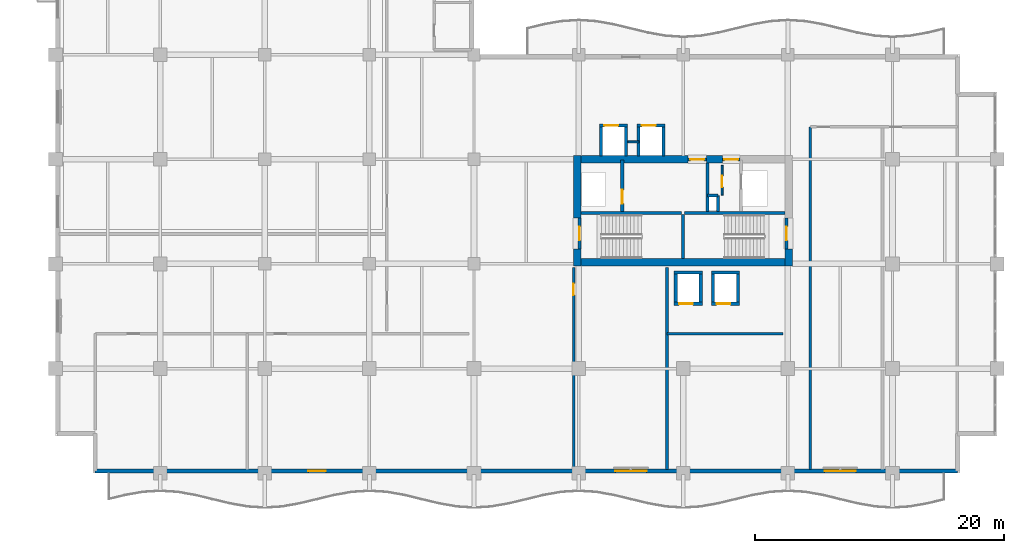
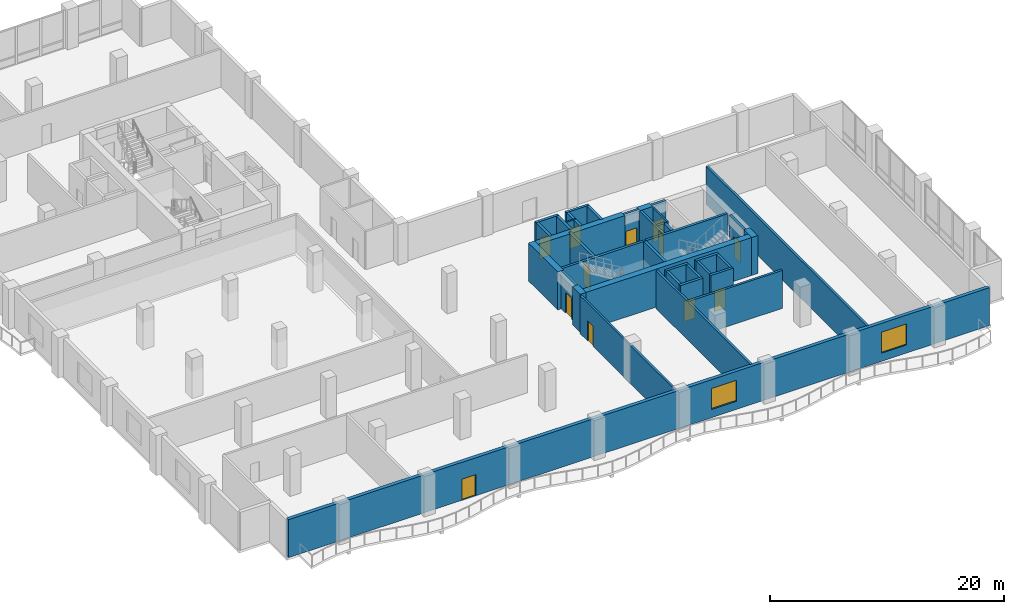
# One storey, part 11 of 22: 38 walls, 12 doors, 2 windows, 14 openings.
"""IFC4 building model written with IfcOpenShell, lengths in metres."""

from ifc_helpers import new_model, si_unit, direction, frame, frame_2d, origin, place, context, subcontext, project, spatial, rectangle, extrude, material, layer, layer_set, type_object, element, fill, save


model = new_model("IFC4")

# Units and contexts
model_context = context("Model", 3, precision=1e-05, world=origin(), true_north=direction((0.0, 1.0)))
body_context = subcontext(model_context, "Body", "Model", "MODEL_VIEW")
ifc_project = project(units=[si_unit("LENGTHUNIT", "METRE"), si_unit("AREAUNIT", "SQUARE_METRE"), si_unit("VOLUMEUNIT", "CUBIC_METRE"), si_unit("PLANEANGLEUNIT", "RADIAN"), si_unit("MASSUNIT", "GRAM", prefix="KILO")], contexts=[model_context])

# Site, building, storey
site_placement = place(None, origin())
site = spatial("IfcSite", under=ifc_project, at=site_placement, CompositionType="ELEMENT")
building_placement = place(site_placement, origin())
building = spatial("IfcBuilding", under=site, at=building_placement, Name="Koriwani Terraces Tower", CompositionType="ELEMENT")
storey_placement = place(building_placement, frame((0.0, 0.0, 219.800048828125)))
storey = spatial("IfcBuildingStorey", under=building, at=storey_placement, Name="L54", CompositionType="ELEMENT", Elevation=219.800048828125)

# Walls
ifc_material_1 = material(Name="Concrete C60/75", Category="concrete")
ifc_layer_1 = layer(ifc_material_1, 0.60009765625, Name="Concrete C60/75")
ifc_layer_set_1 = layer_set([ifc_layer_1], Name="Concrete C60/75")
wall_type_1 = type_object("IfcWallType", Name="WALL_CORE_RC_600", PredefinedType="SHEAR", material=ifc_layer_set_1)
wall_1_placement = place(storey_placement, frame((41.89990234375, 16.64990234375, 0.0), z_axis=(0.0, 0.0, 1.0), x_axis=(0.0, 1.0, 0.0)))
element("IfcWall", 1, at=wall_1_placement, inside=storey, type_object=wall_type_1, Name="L54 East Split Core Shear Wall W1", PredefinedType="SHEAR", context=body_context, shape_type="SweptSolid", body=[
    extrude(rectangle(XDim=1.35009765625, YDim=0.60009765625, at=frame_2d((0.675048828125, 0.0))), origin(), (0.0, 0.0, 1.0), 3.969970703125),
])
wall_2_placement = place(storey_placement, frame((41.89990234375, 20.5, 0.0), z_axis=(0.0, 0.0, 1.0), x_axis=(0.0, 1.0, 0.0)))
element("IfcWall", 2, at=wall_2_placement, inside=storey, type_object=wall_type_1, Name="L54 East Split Core Shear Wall W2", PredefinedType="SHEAR", context=body_context, shape_type="SweptSolid", body=[
    extrude(rectangle(XDim=5.0, YDim=0.60009765625, at=frame_2d((2.5, 0.0))), origin(), (0.0, 0.0, 1.0), 3.969970703125),
])
wall_3_placement = place(storey_placement, frame((58.85009765625, 16.64990234375, 0.0), z_axis=(0.0, 0.0, 1.0), x_axis=(0.0, 1.0, 0.0)))
element("IfcWall", 3, at=wall_3_placement, inside=storey, type_object=wall_type_1, Name="L54 East Split Core Shear Wall E1", PredefinedType="SHEAR", context=body_context, shape_type="SweptSolid", body=[
    extrude(rectangle(XDim=1.35009765625, YDim=0.60009765625, at=frame_2d((0.675048828125, 0.0))), origin(), (0.0, 0.0, 1.0), 3.969970703125),
])
wall_4_placement = place(storey_placement, frame((42.199951171875, 16.949951171875, 0.0), z_axis=(0.0, 0.0, 1.0), x_axis=(1.0, 0.0, 0.0)))
element("IfcWall", 4, at=wall_4_placement, inside=storey, type_object=wall_type_1, Name="L54 East Split Core Shear Wall S1", PredefinedType="SHEAR", context=body_context, shape_type="SweptSolid", body=[
    extrude(rectangle(XDim=16.35009765625, YDim=0.60009765625, at=frame_2d((8.175048828125, 0.0))), origin(), (0.0, 0.0, 1.0), 3.969970703125),
])
wall_5_placement = place(storey_placement, frame((42.199951171875, 25.199951171875, 0.0), z_axis=(0.0, 0.0, 1.0), x_axis=(1.0, 0.0, 0.0)))
element("IfcWall", 5, at=wall_5_placement, inside=storey, type_object=wall_type_1, Name="L54 East Split Core Shear Wall N1", PredefinedType="SHEAR", context=body_context, shape_type="SweptSolid", body=[
    extrude(rectangle(XDim=8.60009765625, YDim=0.60009765625, at=frame_2d((4.300048828125, 0.0))), origin(), (0.0, 0.0, 1.0), 3.969970703125),
])
wall_6_placement = place(storey_placement, frame((52.280029296875, 25.199951171875, 0.0), z_axis=(0.0, 0.0, 1.0), x_axis=(1.0, 0.0, 0.0)))
element("IfcWall", 6, at=wall_6_placement, inside=storey, type_object=wall_type_1, Name="L54 East Split Core Shear Wall N2", PredefinedType="SHEAR", context=body_context, shape_type="SweptSolid", body=[
    extrude(rectangle(XDim=1.27001953125, YDim=0.60009765625, at=frame_2d((0.635009765625, 0.0))), origin(), (0.0, 0.0, 1.0), 3.969970703125),
])

# Wall, opening, door
ifc_material_2 = material(Name="Autoclaved Cellular Concrete Blockwork", Category="masonry")
ifc_layer_2 = layer(ifc_material_2, 0.199951171875, Name="Autoclaved Cellular Concrete Blockwork")
ifc_layer_set_2 = layer_set([ifc_layer_2], Name="Autoclaved Cellular Concrete Blockwork")
wall_type_2 = type_object("IfcWallType", Name="WALL_CORRIDOR_200", PredefinedType="PARTITIONING", material=ifc_layer_set_2)
wall_7_placement = place(storey_placement, frame((41.60009765625, 0.300048828125, 0.0), z_axis=(0.0, 0.0, 1.0), x_axis=(0.0, 1.0, 0.0)))
wall_7 = element("IfcWall", 7, at=wall_7_placement, inside=storey, type_object=wall_type_2, Name="L54 Interior Wall WSKY-RECE1-L54", PredefinedType="PARTITIONING", context=body_context, shape_type="SweptSolid", body=[
    extrude(rectangle(XDim=16.199951171875, YDim=0.199951171875, at=frame_2d((8.10009765625, 0.0))), origin(), (0.0, 0.0, 1.0), 3.969970703125),
])
opening_1_placement = place(wall_7_placement, frame((14.0, 0.0, 0.0)))
opening_1 = element("IfcOpeningElement", 8, at=opening_1_placement, cuts=wall_7, Name="Opening D-06", PredefinedType="OPENING", context=body_context, shape_type="SweptSolid", body=[
    extrude(rectangle(XDim=0.919921875, YDim=2.10009765625, at=frame_2d((0.4599609375, 1.050048828125))), frame((0.0, 0.10986328125, 0.0), z_axis=(0.0, -1.0, 0.0), x_axis=(1.0, 0.0, 0.0)), (0.0, 0.0, 1.0), 0.219970703125),
])
ifc_material_3 = material(Name="Architectural Oak Fire Door", Category="wood")
door_type_1 = type_object("IfcDoorType", Name="DOOR_ROOM_INT_920X2100", OperationType="NOTDEFINED", PredefinedType="DOOR", material=ifc_material_3)
door_1_placement = place(opening_1_placement, origin())
door_1 = element("IfcDoor", 9, at=door_1_placement, inside=storey, type_object=door_type_1, Name="L54 VIP Tasting Salon Door", OperationType="SINGLE_SWING_LEFT", OverallHeight=2.10009765625, OverallWidth=0.919921875, PredefinedType="DOOR", context=body_context, shape_type="SweptSolid", body=[
    extrude(rectangle(XDim=0.919921875, YDim=2.10009765625, at=frame_2d((0.4599609375, 1.050048828125))), frame((0.0, 0.02490234375, 0.0), z_axis=(0.0, -1.0, 0.0), x_axis=(1.0, 0.0, 0.0)), (0.0, 0.0, 1.0), 0.050048828125),
])
fill(opening_1, door_1)

# Walls
ifc_layer_3 = layer(ifc_material_2, 0.219970703125, Name="Autoclaved Cellular Concrete Blockwork")
ifc_layer_set_3 = layer_set([ifc_layer_3], Name="Autoclaved Cellular Concrete Blockwork")
wall_type_3 = type_object("IfcWallType", Name="WALL_DEMISING_220", PredefinedType="PARTITIONING", material=ifc_layer_set_3)
wall_8_placement = place(storey_placement, frame((49.10009765625, 0.300048828125, 0.0), z_axis=(0.0, 0.0, 1.0), x_axis=(0.0, 1.0, 0.0)))
element("IfcWall", 10, at=wall_8_placement, inside=storey, type_object=wall_type_3, Name="L54 Interior Wall WSKY-RECE2-L54", PredefinedType="PARTITIONING", context=body_context, shape_type="SweptSolid", body=[
    extrude(rectangle(XDim=16.199951171875, YDim=0.219970703125, at=frame_2d((8.10009765625, 0.0))), origin(), (0.0, 0.0, 1.0), 3.969970703125),
])
wall_9_placement = place(storey_placement, frame((49.10009765625, 11.199951171875, 0.0), z_axis=(0.0, 0.0, 1.0), x_axis=(1.0, 0.0, 0.0)))
element("IfcWall", 11, at=wall_9_placement, inside=storey, type_object=wall_type_3, Name="L54 Interior Wall WSKY-RECE3-L54", PredefinedType="PARTITIONING", context=body_context, shape_type="SweptSolid", body=[
    extrude(rectangle(XDim=9.2998046875, YDim=0.219970703125, at=frame_2d((4.64990234375, 0.0))), origin(), (0.0, 0.0, 1.0), 3.969970703125),
])
wall_10_placement = place(storey_placement, frame((60.60009765625, 0.300048828125, 0.0), z_axis=(0.0, 0.0, 1.0), x_axis=(0.0, 1.0, 0.0)))
element("IfcWall", 12, at=wall_10_placement, inside=storey, type_object=wall_type_3, Name="L54 Interior Wall WSKY-EW-L54", PredefinedType="PARTITIONING", context=body_context, shape_type="SweptSolid", body=[
    extrude(rectangle(XDim=27.5, YDim=0.219970703125, at=frame_2d((13.75, 0.0))), origin(), (0.0, 0.0, 1.0), 3.969970703125),
])

# Wall, openings, door, windows
ifc_material_4 = material(Name="Concrete C50/60", Category="concrete")
ifc_layer_4 = layer(ifc_material_4, 0.35009765625, Name="Concrete C50/60")
ifc_layer_set_4 = layer_set([ifc_layer_4], Name="Concrete C50/60")
wall_type_4 = type_object("IfcWallType", Name="WALL_EXT_BRUTALIST_350", PredefinedType="STANDARD", material=ifc_layer_set_4)
wall_11_placement = place(storey_placement, frame((72.425048828125, 0.175048828125, 0.0), z_axis=(0.0, 0.0, 1.0), x_axis=(-1.0, 0.0, 0.0)))
wall_11 = element("IfcWall", 13, at=wall_11_placement, inside=storey, type_object=wall_type_4, Name="L54 Fair-Faced Brutalist Exterior Wall (S)", PredefinedType="STANDARD", context=body_context, shape_type="SweptSolid", body=[
    extrude(rectangle(XDim=69.25, YDim=0.35009765625, at=frame_2d((34.625, 0.0))), origin(), (0.0, 0.0, 1.0), 3.969970703125),
])
opening_2_placement = place(wall_11_placement, frame((50.72509765625, 0.0, 0.0)))
opening_2 = element("IfcOpeningElement", 14, at=opening_2_placement, cuts=wall_11, Name="Opening D-09", PredefinedType="OPENING", context=body_context, shape_type="SweptSolid", body=[
    extrude(rectangle(XDim=1.39990234375, YDim=2.199951171875, at=frame_2d((0.699951171875, 1.10009765625))), frame((0.0, 0.18505859375, 0.0), z_axis=(0.0, -1.0, 0.0), x_axis=(1.0, 0.0, 0.0)), (0.0, 0.0, 1.0), 0.3701171875),
])
opening_3_placement = place(wall_11_placement, frame((24.97509765625, 0.0, 0.85009765625)))
opening_3 = element("IfcOpeningElement", 15, at=opening_3_placement, cuts=wall_11, Name="Opening W-07", PredefinedType="OPENING", context=body_context, shape_type="SweptSolid", body=[
    extrude(rectangle(XDim=2.5, YDim=2.199951171875, at=frame_2d((1.25, 1.10009765625))), frame((0.0, 0.18505859375, 0.0), z_axis=(0.0, -1.0, 0.0), x_axis=(1.0, 0.0, 0.0)), (0.0, 0.0, 1.0), 0.3701171875),
])
opening_4_placement = place(wall_11_placement, frame((8.175048828125, 0.0, 0.85009765625)))
opening_4 = element("IfcOpeningElement", 16, at=opening_4_placement, cuts=wall_11, Name="Opening W-07", PredefinedType="OPENING", context=body_context, shape_type="SweptSolid", body=[
    extrude(rectangle(XDim=2.5, YDim=2.199951171875, at=frame_2d((1.25, 1.10009765625))), frame((0.0, 0.18505859375, 0.0), z_axis=(0.0, -1.0, 0.0), x_axis=(1.0, 0.0, 0.0)), (0.0, 0.0, 1.0), 0.3701171875),
])
ifc_material_5 = material(Name="Anodised Bronze Aluminium", Category="aluminium")
door_type_2 = type_object("IfcDoorType", Name="DOOR_BALCONY_GLAZED_1400X2200", OperationType="NOTDEFINED", PredefinedType="DOOR", material=ifc_material_5)
door_2_placement = place(opening_2_placement, origin())
door_2 = element("IfcDoor", 17, at=door_2_placement, inside=storey, type_object=door_type_2, Name="L54 South Balcony Glazed Door", OperationType="SINGLE_SWING_LEFT", OverallHeight=2.199951171875, OverallWidth=1.39990234375, PredefinedType="DOOR", context=body_context, shape_type="SweptSolid", body=[
    extrude(rectangle(XDim=1.39990234375, YDim=2.199951171875, at=frame_2d((0.699951171875, 1.10009765625))), frame((0.0, 0.02490234375, 0.0), z_axis=(0.0, -1.0, 0.0), x_axis=(1.0, 0.0, 0.0)), (0.0, 0.0, 1.0), 0.050048828125),
])
fill(opening_2, door_2)
ifc_material_6 = material(Name="Tempered Laminated Low-E Glass", Category="glass")
window_type = type_object("IfcWindowType", Name="WIN_SKY_LOUNGE_2500X2200", PartitioningType="SINGLE_PANEL", PredefinedType="WINDOW", material=ifc_material_6)
window_1_placement = place(opening_3_placement, origin())
window_1 = element("IfcWindow", 18, at=window_1_placement, inside=storey, type_object=window_type, Name="L54 Exterior Window (S-15)", OverallHeight=2.199951171875, OverallWidth=2.5, PartitioningType="SINGLE_PANEL", PredefinedType="WINDOW", context=body_context, shape_type="SweptSolid", body=[
    extrude(rectangle(XDim=2.5, YDim=2.199951171875, at=frame_2d((1.25, 1.10009765625))), frame((0.0, 0.030029296875, 0.0), z_axis=(0.0, -1.0, 0.0), x_axis=(1.0, 0.0, 0.0)), (0.0, 0.0, 1.0), 0.06005859375),
])
fill(opening_3, window_1)
window_2_placement = place(opening_4_placement, origin())
window_2 = element("IfcWindow", 19, at=window_2_placement, inside=storey, type_object=window_type, Name="L54 Exterior Window (S-21)", OverallHeight=2.199951171875, OverallWidth=2.5, PartitioningType="SINGLE_PANEL", PredefinedType="WINDOW", context=body_context, shape_type="SweptSolid", body=[
    extrude(rectangle(XDim=2.5, YDim=2.199951171875, at=frame_2d((1.25, 1.10009765625))), frame((0.0, 0.030029296875, 0.0), z_axis=(0.0, -1.0, 0.0), x_axis=(1.0, 0.0, 0.0)), (0.0, 0.0, 1.0), 0.06005859375),
])
fill(opening_4, window_2)

# Walls
ifc_material_7 = material(Name="Concrete C40/50", Category="concrete")
ifc_layer_5 = layer(ifc_material_7, 0.25, Name="Concrete C40/50")
ifc_layer_set_5 = layer_set([ifc_layer_5], Name="Concrete C40/50")
wall_type_5 = type_object("IfcWallType", Name="WALL_SHAFT_RATED_250", PredefinedType="SOLIDWALL", material=ifc_layer_set_5)
for number, where, z_axis, x_axis, name in (
    (20, (42.199951171875, 20.875, 0.0), (0.0, 0.0, 1.0), (1.0, 0.0, 0.0), "L54 East Split Core Web Wall MID1"),
    (21, (50.5, 20.875, 0.0), (0.0, 0.0, 1.0), (1.0, 0.0, 0.0), "L54 East Split Core Web Wall MID2"),
):
    element("IfcWall", number, at=place(storey_placement, frame(where, z_axis=z_axis, x_axis=x_axis)), inside=storey, type_object=wall_type_5, Name=name, PredefinedType="SOLIDWALL", context=body_context, shape_type="SweptSolid", body=[
        extrude(rectangle(XDim=8.050048828125, YDim=0.25, at=frame_2d((4.02490234375, 0.0))), origin(), (0.0, 0.0, 1.0), 3.969970703125),
    ])
wall_12_placement = place(storey_placement, frame((50.375, 17.25, 0.0), z_axis=(0.0, 0.0, 1.0), x_axis=(0.0, 1.0, 0.0)))
element("IfcWall", 22, at=wall_12_placement, inside=storey, type_object=wall_type_5, Name="L54 East Split Core Stair Dividing Wall", PredefinedType="SOLIDWALL", context=body_context, shape_type="SweptSolid", body=[
    extrude(rectangle(XDim=3.5, YDim=0.25, at=frame_2d((1.75, 0.0))), origin(), (0.0, 0.0, 1.0), 3.969970703125),
])

# Wall, opening, door
wall_13_placement = place(storey_placement, frame((42.074951171875, 18.0, 0.0), z_axis=(0.0, 0.0, 1.0), x_axis=(0.0, 1.0, 0.0)))
wall_13 = element("IfcWall", 23, at=wall_13_placement, inside=storey, type_object=wall_type_5, Name="L54 Interior Wall WIN-CE-L54-STW", PredefinedType="SOLIDWALL", context=body_context, shape_type="SweptSolid", body=[
    extrude(rectangle(XDim=2.5, YDim=0.25, at=frame_2d((1.25, 0.0))), origin(), (0.0, 0.0, 1.0), 3.969970703125),
])
opening_5_placement = place(wall_13_placement, frame((0.699951171875, 0.0, 0.0)))
opening_5 = element("IfcOpeningElement", 24, at=opening_5_placement, cuts=wall_13, Name="Opening D-03", PredefinedType="OPENING", context=body_context, shape_type="SweptSolid", body=[
    extrude(rectangle(XDim=1.10009765625, YDim=2.14990234375, at=frame_2d((0.550048828125, 1.074951171875))), frame((0.0, 0.135009765625, 0.0), z_axis=(0.0, -1.0, 0.0), x_axis=(1.0, 0.0, 0.0)), (0.0, 0.0, 1.0), 0.27001953125),
])
ifc_material_8 = material(Name="Steel ASTM A572 Grade 50", Category="steel")
door_type_3 = type_object("IfcDoorType", Name="DOOR_STAIR_FIRE_1100X2150", OperationType="NOTDEFINED", PredefinedType="DOOR", material=ifc_material_8)
door_3_placement = place(opening_5_placement, origin())
door_3 = element("IfcDoor", 25, at=door_3_placement, inside=storey, type_object=door_type_3, Name="L54 Exit Stair ST-E1 Door", OperationType="SINGLE_SWING_LEFT", OverallHeight=2.14990234375, OverallWidth=1.10009765625, PredefinedType="DOOR", context=body_context, shape_type="SweptSolid", body=[
    extrude(rectangle(XDim=1.10009765625, YDim=2.14990234375, at=frame_2d((0.550048828125, 1.074951171875))), frame((0.0, 0.02490234375, 0.0), z_axis=(0.0, -1.0, 0.0), x_axis=(1.0, 0.0, 0.0)), (0.0, 0.0, 1.0), 0.050048828125),
])
fill(opening_5, door_3)

wall_14_placement = place(storey_placement, frame((58.675048828125, 18.0, 0.0), z_axis=(0.0, 0.0, 1.0), x_axis=(0.0, 1.0, 0.0)))
wall_14 = element("IfcWall", 26, at=wall_14_placement, inside=storey, type_object=wall_type_5, Name="L54 Interior Wall WIN-CE-L54-STE", PredefinedType="SOLIDWALL", context=body_context, shape_type="SweptSolid", body=[
    extrude(rectangle(XDim=2.5, YDim=0.25, at=frame_2d((1.25, 0.0))), origin(), (0.0, 0.0, 1.0), 3.969970703125),
])
opening_6_placement = place(wall_14_placement, frame((0.699951171875, 0.0, 0.0)))
opening_6 = element("IfcOpeningElement", 27, at=opening_6_placement, cuts=wall_14, Name="Opening D-03", PredefinedType="OPENING", context=body_context, shape_type="SweptSolid", body=[
    extrude(rectangle(XDim=1.10009765625, YDim=2.14990234375, at=frame_2d((0.550048828125, 1.074951171875))), frame((0.0, 0.135009765625, 0.0), z_axis=(0.0, -1.0, 0.0), x_axis=(1.0, 0.0, 0.0)), (0.0, 0.0, 1.0), 0.27001953125),
])
door_4_placement = place(opening_6_placement, origin())
door_4 = element("IfcDoor", 28, at=door_4_placement, inside=storey, type_object=door_type_3, Name="L54 Exit Stair ST-E2 Door", OperationType="SINGLE_SWING_RIGHT", OverallHeight=2.14990234375, OverallWidth=1.10009765625, PredefinedType="DOOR", context=body_context, shape_type="SweptSolid", body=[
    extrude(rectangle(XDim=1.10009765625, YDim=2.14990234375, at=frame_2d((0.550048828125, 1.074951171875))), frame((0.0, 0.02490234375, 0.0), z_axis=(0.0, -1.0, 0.0), x_axis=(1.0, 0.0, 0.0)), (0.0, 0.0, 1.0), 0.050048828125),
])
fill(opening_6, door_4)

wall_15_placement = place(storey_placement, frame((45.5, 21.0, 0.0), z_axis=(0.0, 0.0, 1.0), x_axis=(0.0, 1.0, 0.0)))
wall_15 = element("IfcWall", 29, at=wall_15_placement, inside=storey, type_object=wall_type_5, Name="L54 Interior Wall WIN-CE-L54-FE", PredefinedType="SOLIDWALL", context=body_context, shape_type="SweptSolid", body=[
    extrude(rectangle(XDim=4.14990234375, YDim=0.25, at=frame_2d((2.074951171875, 0.0))), origin(), (0.0, 0.0, 1.0), 3.969970703125),
])
opening_7_placement = place(wall_15_placement, frame((0.64990234375, 0.0, 0.0)))
opening_7 = element("IfcOpeningElement", 30, at=opening_7_placement, cuts=wall_15, Name="Opening LD-01", PredefinedType="OPENING", context=body_context, shape_type="SweptSolid", body=[
    extrude(rectangle(XDim=1.10009765625, YDim=2.14990234375, at=frame_2d((0.550048828125, 1.074951171875))), frame((0.0, 0.135009765625, 0.0), z_axis=(0.0, -1.0, 0.0), x_axis=(1.0, 0.0, 0.0)), (0.0, 0.0, 1.0), 0.27001953125),
])
door_type_4 = type_object("IfcDoorType", Name="DOOR_LIFT_LANDING_1100X2200", OperationType="NOTDEFINED", PredefinedType="DOOR", material=ifc_material_8)
door_5_placement = place(opening_7_placement, origin())
door_5 = element("IfcDoor", 31, at=door_5_placement, inside=storey, type_object=door_type_4, Name="L54 Firefighting Lift FE-02 Landing Door", OperationType="SLIDING_TO_LEFT", OverallHeight=2.14990234375, OverallWidth=1.10009765625, PredefinedType="DOOR", context=body_context, shape_type="SweptSolid", body=[
    extrude(rectangle(XDim=1.10009765625, YDim=2.14990234375, at=frame_2d((0.550048828125, 1.074951171875))), frame((0.0, 0.02490234375, 0.0), z_axis=(0.0, -1.0, 0.0), x_axis=(1.0, 0.0, 0.0)), (0.0, 0.0, 1.0), 0.050048828125),
])
fill(opening_7, door_5)

wall_16_placement = place(storey_placement, frame((50.800048828125, 25.199951171875, 0.0), z_axis=(0.0, 0.0, 1.0), x_axis=(1.0, 0.0, 0.0)))
wall_16 = element("IfcWall", 32, at=wall_16_placement, inside=storey, type_object=wall_type_5, Name="L54 Interior Wall WIN-CE-L54-NP", PredefinedType="SOLIDWALL", context=body_context, shape_type="SweptSolid", body=[
    extrude(rectangle(XDim=1.47998046875, YDim=0.25, at=frame_2d((0.739990234375, 0.0))), origin(), (0.0, 0.0, 1.0), 3.969970703125),
])
opening_8_placement = place(wall_16_placement, frame((0.179931640625, 0.0, 0.0)))
opening_8 = element("IfcOpeningElement", 33, at=opening_8_placement, cuts=wall_16, Name="Opening D-03", PredefinedType="OPENING", context=body_context, shape_type="SweptSolid", body=[
    extrude(rectangle(XDim=1.10009765625, YDim=2.14990234375, at=frame_2d((0.550048828125, 1.074951171875))), frame((0.0, 0.135009765625, 0.0), z_axis=(0.0, -1.0, 0.0), x_axis=(1.0, 0.0, 0.0)), (0.0, 0.0, 1.0), 0.27001953125),
])
door_6_placement = place(opening_8_placement, origin())
door_6 = element("IfcDoor", 34, at=door_6_placement, inside=storey, type_object=door_type_3, Name="L54 East Firefighting Lobby Door", OperationType="SINGLE_SWING_LEFT", OverallHeight=2.14990234375, OverallWidth=1.10009765625, PredefinedType="DOOR", context=body_context, shape_type="SweptSolid", body=[
    extrude(rectangle(XDim=1.10009765625, YDim=2.14990234375, at=frame_2d((0.550048828125, 1.074951171875))), frame((0.0, 0.02490234375, 0.0), z_axis=(0.0, -1.0, 0.0), x_axis=(1.0, 0.0, 0.0)), (0.0, 0.0, 1.0), 0.050048828125),
])
fill(opening_8, door_6)

# Wall
wall_17_placement = place(storey_placement, frame((52.340087890625, 21.0, 0.0), z_axis=(0.0, 0.0, 1.0), x_axis=(0.0, 1.0, 0.0)))
element("IfcWall", 35, at=wall_17_placement, inside=storey, type_object=wall_type_5, Name="L54 Interior Wall WIN-CE-L54-FFE", PredefinedType="SOLIDWALL", context=body_context, shape_type="SweptSolid", body=[
    extrude(rectangle(XDim=3.89990234375, YDim=0.25, at=frame_2d((1.949951171875, 0.0))), origin(), (0.0, 0.0, 1.0), 3.969970703125),
])

# Wall, opening, door
wall_18_placement = place(storey_placement, frame((53.550048828125, 25.199951171875, 0.0), z_axis=(0.0, 0.0, 1.0), x_axis=(1.0, 0.0, 0.0)))
wall_18 = element("IfcWall", 36, at=wall_18_placement, inside=storey, type_object=wall_type_5, Name="L54 Interior Wall WIN-CE-L54-NP2", PredefinedType="SOLIDWALL", context=body_context, shape_type="SweptSolid", body=[
    extrude(rectangle(XDim=1.39990234375, YDim=0.25, at=frame_2d((0.699951171875, 0.0))), origin(), (0.0, 0.0, 1.0), 3.969970703125),
])
opening_9_placement = place(wall_18_placement, frame((0.14990234375, 0.0, 0.0)))
opening_9 = element("IfcOpeningElement", 37, at=opening_9_placement, cuts=wall_18, Name="Opening D-03", PredefinedType="OPENING", context=body_context, shape_type="SweptSolid", body=[
    extrude(rectangle(XDim=1.10009765625, YDim=2.14990234375, at=frame_2d((0.550048828125, 1.074951171875))), frame((0.0, 0.135009765625, 0.0), z_axis=(0.0, -1.0, 0.0), x_axis=(1.0, 0.0, 0.0)), (0.0, 0.0, 1.0), 0.27001953125),
])
door_7_placement = place(opening_9_placement, origin())
door_7 = element("IfcDoor", 38, at=door_7_placement, inside=storey, type_object=door_type_3, Name="L54 East Goods Lift Lobby Door", OperationType="SINGLE_SWING_RIGHT", OverallHeight=2.14990234375, OverallWidth=1.10009765625, PredefinedType="DOOR", context=body_context, shape_type="SweptSolid", body=[
    extrude(rectangle(XDim=1.10009765625, YDim=2.14990234375, at=frame_2d((0.550048828125, 1.074951171875))), frame((0.0, 0.02490234375, 0.0), z_axis=(0.0, -1.0, 0.0), x_axis=(1.0, 0.0, 0.0)), (0.0, 0.0, 1.0), 0.050048828125),
])
fill(opening_9, door_7)

# Walls
wall_19_placement = place(storey_placement, frame((53.199951171875, 21.0, 0.0), z_axis=(0.0, 0.0, 1.0), x_axis=(0.0, 1.0, 0.0)))
element("IfcWall", 39, at=wall_19_placement, inside=storey, type_object=wall_type_5, Name="L54 Interior Wall WIN-CE-L54-RS1", PredefinedType="SOLIDWALL", context=body_context, shape_type="SweptSolid", body=[
    extrude(rectangle(XDim=1.300048828125, YDim=0.25, at=frame_2d((0.64990234375, 0.0))), origin(), (0.0, 0.0, 1.0), 3.969970703125),
])
wall_20_placement = place(storey_placement, frame((52.360107421875, 22.300048828125, 0.0), z_axis=(0.0, 0.0, 1.0), x_axis=(1.0, 0.0, 0.0)))
element("IfcWall", 40, at=wall_20_placement, inside=storey, type_object=wall_type_5, Name="L54 Interior Wall WIN-CE-L54-RS2", PredefinedType="SOLIDWALL", context=body_context, shape_type="SweptSolid", body=[
    extrude(rectangle(XDim=0.83984375, YDim=0.25, at=frame_2d((0.419921875, 0.0))), origin(), (0.0, 0.0, 1.0), 3.969970703125),
])

# Wall, opening, door
wall_21_placement = place(storey_placement, frame((49.675048828125, 13.60009765625, 0.0), z_axis=(0.0, 0.0, 1.0), x_axis=(1.0, 0.0, 0.0)))
wall_21 = element("IfcWall", 41, at=wall_21_placement, inside=storey, type_object=wall_type_5, Name="L54 Interior Wall WIN-LF-PE-M3-L54-F", PredefinedType="SOLIDWALL", context=body_context, shape_type="SweptSolid", body=[
    extrude(rectangle(XDim=2.25, YDim=0.25, at=frame_2d((1.125, 0.0))), origin(), (0.0, 0.0, 1.0), 3.969970703125),
])
opening_10_placement = place(wall_21_placement, frame((0.39990234375, 0.0, 0.0)))
opening_10 = element("IfcOpeningElement", 42, at=opening_10_placement, cuts=wall_21, Name="Opening LD-01", PredefinedType="OPENING", context=body_context, shape_type="SweptSolid", body=[
    extrude(rectangle(XDim=1.10009765625, YDim=2.14990234375, at=frame_2d((0.550048828125, 1.074951171875))), frame((0.0, 0.135009765625, 0.0), z_axis=(0.0, -1.0, 0.0), x_axis=(1.0, 0.0, 0.0)), (0.0, 0.0, 1.0), 0.27001953125),
])
door_8_placement = place(opening_10_placement, origin())
door_8 = element("IfcDoor", 43, at=door_8_placement, inside=storey, type_object=door_type_4, Name="L54 Passenger Lift PE-M3 Landing Door", OperationType="SLIDING_TO_LEFT", OverallHeight=2.14990234375, OverallWidth=1.10009765625, PredefinedType="DOOR", context=body_context, shape_type="SweptSolid", body=[
    extrude(rectangle(XDim=1.10009765625, YDim=2.14990234375, at=frame_2d((0.550048828125, 1.074951171875))), frame((0.0, 0.02490234375, 0.0), z_axis=(0.0, -1.0, 0.0), x_axis=(1.0, 0.0, 0.0)), (0.0, 0.0, 1.0), 0.050048828125),
])
fill(opening_10, door_8)

# Walls
for number, where, z_axis, x_axis, name in (
    (44, (49.675048828125, 16.10009765625, 0.0), (0.0, 0.0, 1.0), (1.0, 0.0, 0.0), "L54 Interior Wall WIN-LF-PE-M3-L54-B"),
    (45, (49.800048828125, 13.72509765625, 0.0), (0.0, 0.0, 1.0), (0.0, 1.0, 0.0), "L54 Interior Wall WIN-LF-PE-M3-L54-W"),
    (46, (51.800048828125, 13.72509765625, 0.0), (0.0, 0.0, 1.0), (0.0, 1.0, 0.0), "L54 Interior Wall WIN-LF-PE-M3-L54-E"),
):
    element("IfcWall", number, at=place(storey_placement, frame(where, z_axis=z_axis, x_axis=x_axis)), inside=storey, type_object=wall_type_5, Name=name, PredefinedType="SOLIDWALL", context=body_context, shape_type="SweptSolid", body=[
        extrude(rectangle(XDim=2.25, YDim=0.25, at=frame_2d((1.125, 0.0))), origin(), (0.0, 0.0, 1.0), 3.969970703125),
    ])

# Wall, opening, door
wall_22_placement = place(storey_placement, frame((52.675048828125, 13.60009765625, 0.0), z_axis=(0.0, 0.0, 1.0), x_axis=(1.0, 0.0, 0.0)))
wall_22 = element("IfcWall", 47, at=wall_22_placement, inside=storey, type_object=wall_type_5, Name="L54 Interior Wall WIN-LF-PE-M4-L54-F", PredefinedType="SOLIDWALL", context=body_context, shape_type="SweptSolid", body=[
    extrude(rectangle(XDim=2.25, YDim=0.25, at=frame_2d((1.125, 0.0))), origin(), (0.0, 0.0, 1.0), 3.969970703125),
])
opening_11_placement = place(wall_22_placement, frame((0.39990234375, 0.0, 0.0)))
opening_11 = element("IfcOpeningElement", 48, at=opening_11_placement, cuts=wall_22, Name="Opening LD-01", PredefinedType="OPENING", context=body_context, shape_type="SweptSolid", body=[
    extrude(rectangle(XDim=1.10009765625, YDim=2.14990234375, at=frame_2d((0.550048828125, 1.074951171875))), frame((0.0, 0.135009765625, 0.0), z_axis=(0.0, -1.0, 0.0), x_axis=(1.0, 0.0, 0.0)), (0.0, 0.0, 1.0), 0.27001953125),
])
door_9_placement = place(opening_11_placement, origin())
door_9 = element("IfcDoor", 49, at=door_9_placement, inside=storey, type_object=door_type_4, Name="L54 Passenger Lift PE-M4 Landing Door", OperationType="SLIDING_TO_LEFT", OverallHeight=2.14990234375, OverallWidth=1.10009765625, PredefinedType="DOOR", context=body_context, shape_type="SweptSolid", body=[
    extrude(rectangle(XDim=1.10009765625, YDim=2.14990234375, at=frame_2d((0.550048828125, 1.074951171875))), frame((0.0, 0.02490234375, 0.0), z_axis=(0.0, -1.0, 0.0), x_axis=(1.0, 0.0, 0.0)), (0.0, 0.0, 1.0), 0.050048828125),
])
fill(opening_11, door_9)

# Walls
for number, where, z_axis, x_axis, name in (
    (50, (52.675048828125, 16.10009765625, 0.0), (0.0, 0.0, 1.0), (1.0, 0.0, 0.0), "L54 Interior Wall WIN-LF-PE-M4-L54-B"),
    (51, (52.800048828125, 13.72509765625, 0.0), (0.0, 0.0, 1.0), (0.0, 1.0, 0.0), "L54 Interior Wall WIN-LF-PE-M4-L54-W"),
    (52, (54.800048828125, 13.72509765625, 0.0), (0.0, 0.0, 1.0), (0.0, 1.0, 0.0), "L54 Interior Wall WIN-LF-PE-M4-L54-E"),
):
    element("IfcWall", number, at=place(storey_placement, frame(where, z_axis=z_axis, x_axis=x_axis)), inside=storey, type_object=wall_type_5, Name=name, PredefinedType="SOLIDWALL", context=body_context, shape_type="SweptSolid", body=[
        extrude(rectangle(XDim=2.25, YDim=0.25, at=frame_2d((1.125, 0.0))), origin(), (0.0, 0.0, 1.0), 3.969970703125),
    ])

# Wall, opening, door
wall_23_placement = place(storey_placement, frame((43.675048828125, 27.89990234375, 0.0), z_axis=(0.0, 0.0, 1.0), x_axis=(1.0, 0.0, 0.0)))
wall_23 = element("IfcWall", 53, at=wall_23_placement, inside=storey, type_object=wall_type_5, Name="L54 Interior Wall WIN-LF-PE-H3-L54-F", PredefinedType="SOLIDWALL", context=body_context, shape_type="SweptSolid", body=[
    extrude(rectangle(XDim=2.25, YDim=0.25, at=frame_2d((1.125, 0.0))), origin(), (0.0, 0.0, 1.0), 3.969970703125),
])
opening_12_placement = place(wall_23_placement, frame((0.39990234375, 0.0, 0.0)))
opening_12 = element("IfcOpeningElement", 54, at=opening_12_placement, cuts=wall_23, Name="Opening LD-01", PredefinedType="OPENING", context=body_context, shape_type="SweptSolid", body=[
    extrude(rectangle(XDim=1.10009765625, YDim=2.14990234375, at=frame_2d((0.550048828125, 1.074951171875))), frame((0.0, 0.135009765625, 0.0), z_axis=(0.0, -1.0, 0.0), x_axis=(1.0, 0.0, 0.0)), (0.0, 0.0, 1.0), 0.27001953125),
])
door_10_placement = place(opening_12_placement, origin())
door_10 = element("IfcDoor", 55, at=door_10_placement, inside=storey, type_object=door_type_4, Name="L54 Passenger Lift PE-H3 Landing Door", OperationType="SLIDING_TO_LEFT", OverallHeight=2.14990234375, OverallWidth=1.10009765625, PredefinedType="DOOR", context=body_context, shape_type="SweptSolid", body=[
    extrude(rectangle(XDim=1.10009765625, YDim=2.14990234375, at=frame_2d((0.550048828125, 1.074951171875))), frame((0.0, 0.02490234375, 0.0), z_axis=(0.0, -1.0, 0.0), x_axis=(1.0, 0.0, 0.0)), (0.0, 0.0, 1.0), 0.050048828125),
])
fill(opening_12, door_10)

# Walls
for number, where, z_axis, x_axis, name in (
    (56, (43.800048828125, 25.449951171875, 0.0), (0.0, 0.0, 1.0), (0.0, 1.0, 0.0), "L54 Interior Wall WIN-LF-PE-H3-L54-W"),
    (57, (45.800048828125, 25.449951171875, 0.0), (0.0, 0.0, 1.0), (0.0, 1.0, 0.0), "L54 Interior Wall WIN-LF-PE-H3-L54-E"),
):
    element("IfcWall", number, at=place(storey_placement, frame(where, z_axis=z_axis, x_axis=x_axis)), inside=storey, type_object=wall_type_5, Name=name, PredefinedType="SOLIDWALL", context=body_context, shape_type="SweptSolid", body=[
        extrude(rectangle(XDim=2.324951171875, YDim=0.25, at=frame_2d((1.16259765625, 0.0))), origin(), (0.0, 0.0, 1.0), 3.969970703125),
    ])

# Wall, opening, door
wall_24_placement = place(storey_placement, frame((46.675048828125, 27.89990234375, 0.0), z_axis=(0.0, 0.0, 1.0), x_axis=(1.0, 0.0, 0.0)))
wall_24 = element("IfcWall", 58, at=wall_24_placement, inside=storey, type_object=wall_type_5, Name="L54 Interior Wall WIN-LF-PE-H4-L54-F", PredefinedType="SOLIDWALL", context=body_context, shape_type="SweptSolid", body=[
    extrude(rectangle(XDim=2.25, YDim=0.25, at=frame_2d((1.125, 0.0))), origin(), (0.0, 0.0, 1.0), 3.969970703125),
])
opening_13_placement = place(wall_24_placement, frame((0.39990234375, 0.0, 0.0)))
opening_13 = element("IfcOpeningElement", 59, at=opening_13_placement, cuts=wall_24, Name="Opening LD-01", PredefinedType="OPENING", context=body_context, shape_type="SweptSolid", body=[
    extrude(rectangle(XDim=1.10009765625, YDim=2.14990234375, at=frame_2d((0.550048828125, 1.074951171875))), frame((0.0, 0.135009765625, 0.0), z_axis=(0.0, -1.0, 0.0), x_axis=(1.0, 0.0, 0.0)), (0.0, 0.0, 1.0), 0.27001953125),
])
door_11_placement = place(opening_13_placement, origin())
door_11 = element("IfcDoor", 60, at=door_11_placement, inside=storey, type_object=door_type_4, Name="L54 Passenger Lift PE-H4 Landing Door", OperationType="SLIDING_TO_LEFT", OverallHeight=2.14990234375, OverallWidth=1.10009765625, PredefinedType="DOOR", context=body_context, shape_type="SweptSolid", body=[
    extrude(rectangle(XDim=1.10009765625, YDim=2.14990234375, at=frame_2d((0.550048828125, 1.074951171875))), frame((0.0, 0.02490234375, 0.0), z_axis=(0.0, -1.0, 0.0), x_axis=(1.0, 0.0, 0.0)), (0.0, 0.0, 1.0), 0.050048828125),
])
fill(opening_13, door_11)

# Walls
for number, where, z_axis, x_axis, name in (
    (61, (46.800048828125, 25.449951171875, 0.0), (0.0, 0.0, 1.0), (0.0, 1.0, 0.0), "L54 Interior Wall WIN-LF-PE-H4-L54-W"),
    (62, (48.800048828125, 25.449951171875, 0.0), (0.0, 0.0, 1.0), (0.0, 1.0, 0.0), "L54 Interior Wall WIN-LF-PE-H4-L54-E"),
):
    element("IfcWall", number, at=place(storey_placement, frame(where, z_axis=z_axis, x_axis=x_axis)), inside=storey, type_object=wall_type_5, Name=name, PredefinedType="SOLIDWALL", context=body_context, shape_type="SweptSolid", body=[
        extrude(rectangle(XDim=2.324951171875, YDim=0.25, at=frame_2d((1.16259765625, 0.0))), origin(), (0.0, 0.0, 1.0), 3.969970703125),
    ])

# Wall, opening, door
ifc_material_9 = material(Name="Fire-Rated Acoustic Gypsum Partition", Category="masonry")
ifc_layer_6 = layer(ifc_material_9, 0.159912109375, Name="Fire-Rated Acoustic Gypsum Partition")
ifc_layer_set_6 = layer_set([ifc_layer_6], Name="Fire-Rated Acoustic Gypsum Partition")
wall_type_6 = type_object("IfcWallType", Name="WALL_SUITE_160", PredefinedType="PARTITIONING", material=ifc_layer_set_6)
wall_25_placement = place(storey_placement, frame((53.52001953125, 22.320068359375, 0.0), z_axis=(0.0, 0.0, 1.0), x_axis=(0.0, 1.0, 0.0)))
wall_25 = element("IfcWall", 63, at=wall_25_placement, inside=storey, type_object=wall_type_6, Name="L54 Interior Wall WIN-CE-L54-SV0", PredefinedType="PARTITIONING", context=body_context, shape_type="SweptSolid", body=[
    extrude(rectangle(XDim=2.39990234375, YDim=0.159912109375, at=frame_2d((1.199951171875, 0.0))), origin(), (0.0, 0.0, 1.0), 3.969970703125),
])
opening_14_placement = place(wall_25_placement, frame((0.64990234375, 0.0, 0.0)))
opening_14 = element("IfcOpeningElement", 64, at=opening_14_placement, cuts=wall_25, Name="Opening D-07", PredefinedType="OPENING", context=body_context, shape_type="SweptSolid", body=[
    extrude(rectangle(XDim=0.89990234375, YDim=2.10009765625, at=frame_2d((0.449951171875, 1.050048828125))), frame((0.0, 0.08984375, 0.0), z_axis=(0.0, -1.0, 0.0), x_axis=(1.0, 0.0, 0.0)), (0.0, 0.0, 1.0), 0.179931640625),
])
door_type_5 = type_object("IfcDoorType", Name="DOOR_BATH_INT_900X2100", OperationType="NOTDEFINED", PredefinedType="DOOR", material=ifc_material_3)
door_12_placement = place(opening_14_placement, origin())
door_12 = element("IfcDoor", 65, at=door_12_placement, inside=storey, type_object=door_type_5, Name="L54 East Electrical Switch Room Door", OperationType="SINGLE_SWING_LEFT", OverallHeight=2.10009765625, OverallWidth=0.89990234375, PredefinedType="DOOR", context=body_context, shape_type="SweptSolid", body=[
    extrude(rectangle(XDim=0.89990234375, YDim=2.10009765625, at=frame_2d((0.449951171875, 1.050048828125))), frame((0.0, 0.02490234375, 0.0), z_axis=(0.0, -1.0, 0.0), x_axis=(1.0, 0.0, 0.0)), (0.0, 0.0, 1.0), 0.050048828125),
])
fill(opening_14, door_12)

# Wall
wall_26_placement = place(storey_placement, frame((45.9599609375, 26.60009765625, 0.0), z_axis=(0.0, 0.0, 1.0), x_axis=(1.0, 0.0, 0.0)))
element("IfcWall", 66, at=wall_26_placement, inside=storey, type_object=wall_type_6, Name="L54 Interior Wall WIN-LF-PEH34-MID-L54", PredefinedType="PARTITIONING", context=body_context, shape_type="SweptSolid", body=[
    extrude(rectangle(XDim=0.880126953125, YDim=0.159912109375, at=frame_2d((0.43994140625, 0.0))), origin(), (0.0, 0.0, 1.0), 3.969970703125),
])

save(model, "model.ifc")
